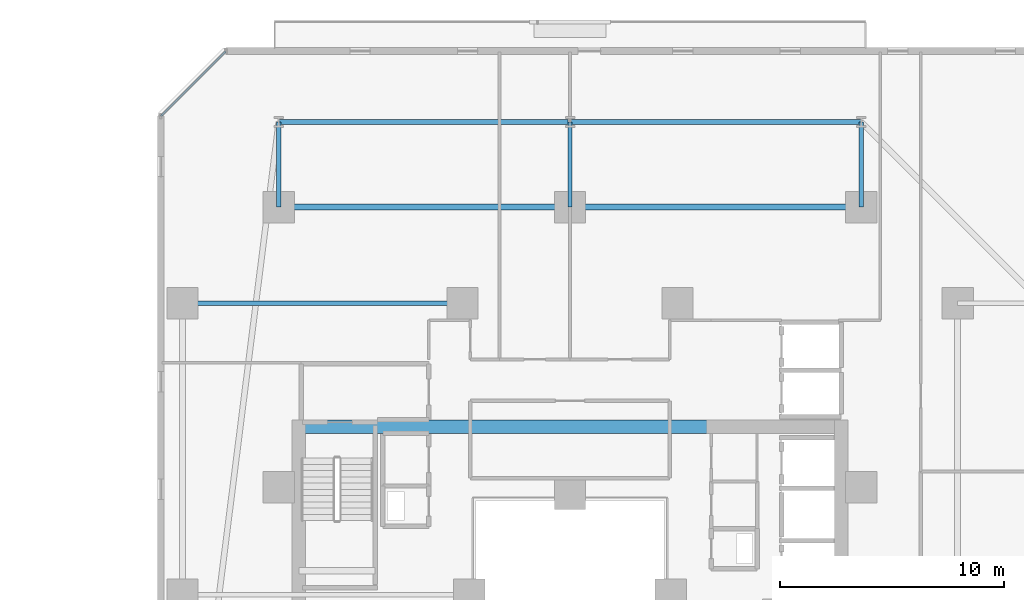
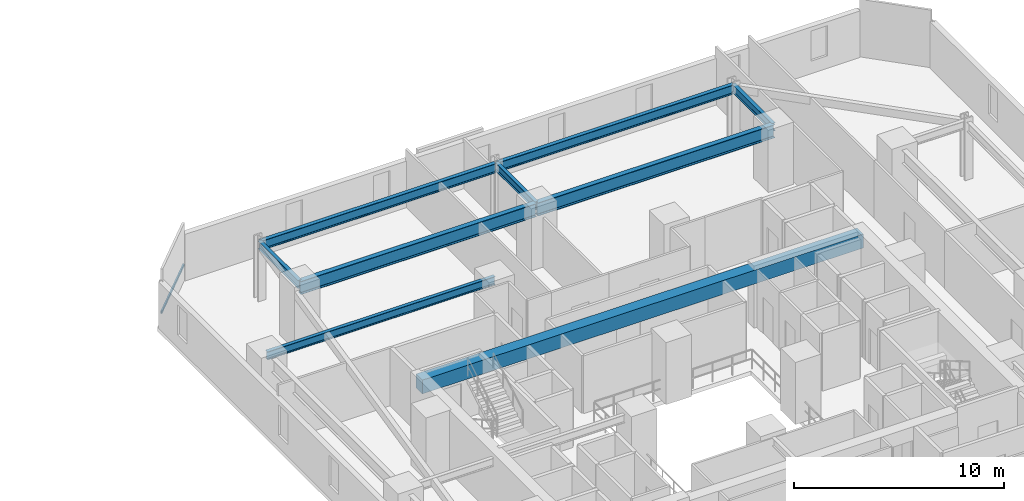
# One storey, part 16 of 35: 9 beams, 1 member, 1 element without a shape of its own.
"""IFC4 building model written with IfcOpenShell, lengths in metres."""

from ifc_helpers import new_model, si_unit, direction, frame, origin, origin_2d, place, context, subcontext, project, spatial, rectangle, hollow_rectangle, i_section, extrude, material, material_profile, profile_set, type_object, element, aggregate, save


model = new_model("IFC4")

# Units and contexts
model_context = context("Model", 3, precision=1e-05, world=origin(), true_north=direction((0.0, 1.0)))
body_context = subcontext(model_context, "Body", "Model", "MODEL_VIEW")
ifc_project = project(units=[si_unit("LENGTHUNIT", "METRE"), si_unit("AREAUNIT", "SQUARE_METRE"), si_unit("VOLUMEUNIT", "CUBIC_METRE"), si_unit("PLANEANGLEUNIT", "RADIAN"), si_unit("MASSUNIT", "GRAM", prefix="KILO")], contexts=[model_context])

# Site, building, storey
site_placement = place(None, origin())
site = spatial("IfcSite", under=ifc_project, at=site_placement, CompositionType="ELEMENT")
building_placement = place(site_placement, origin())
building = spatial("IfcBuilding", under=site, at=building_placement, Name="Thornwick Lancets Civic Towers", CompositionType="ELEMENT")
storey_placement = place(building_placement, frame((0.0, 0.0, 64.5)))
storey = spatial("IfcBuildingStorey", under=building, at=storey_placement, Name="L16", CompositionType="ELEMENT", Elevation=64.5)

# Beams
ifc_material_1 = material(Name="Concrete C60/75", Category="concrete")
ifc_material_profile_1 = material_profile(ifc_material_1, rectangle(XDim=0.60009765625, YDim=0.800048828125, at=origin_2d()), Name="RC 600x800")
ifc_profile_set_1 = profile_set([ifc_material_profile_1], Name="Concrete C60/75")
beam_type_1 = type_object("IfcBeamType", Name="BM_COUP_RC800", PredefinedType="BEAM", material=ifc_profile_set_1)
beam_1_placement = place(storey_placement, frame((76.39990234375, 34.5, 2.9599609375), z_axis=(1.0, 0.0, 0.0), x_axis=(0.0, 1.0, 0.0)))
element("IfcBeam", 1, at=beam_1_placement, inside=storey, type_object=beam_type_1, Name="CB-L16-B1", PredefinedType="BEAM", context=body_context, shape_type="SweptSolid", body=[
    extrude(rectangle(XDim=0.60009765625, YDim=0.800048828125, at=origin_2d()), origin(), (0.0, 0.0, 1.0), 24.2001953125),
])
ifc_material_2 = material(Name="Steel S355JR", Category="steel")
ifc_material_profile_2 = material_profile(ifc_material_2, i_section(OverallWidth=0.2119140625, OverallDepth=0.54443359375, WebThickness=0.0126953125, FlangeThickness=0.021240234375, FilletRadius=0.0126953125, at=origin_2d()), Name="UKB 533x210x122")
ifc_profile_set_2 = profile_set([ifc_material_profile_2], Name="Steel S355JR")
beam_type_2 = type_object("IfcBeamType", Name="BM_EDGE_533_122", PredefinedType="SPANDREL", material=ifc_profile_set_2)
beam_2_placement = place(storey_placement, frame((101.5, 48.10009765625, 3.087646484375), z_axis=(-1.0, 0.0, 0.0), x_axis=(0.0, -1.0, 0.0)))
element("IfcBeam", 2, at=beam_2_placement, inside=storey, type_object=beam_type_2, Name="BM-EDGE-L16-B-S1-1", PredefinedType="SPANDREL", context=body_context, shape_type="SweptSolid", body=[
    extrude(i_section(OverallWidth=0.2119140625, OverallDepth=0.54443359375, WebThickness=0.0126953125, FlangeThickness=0.021240234375, FilletRadius=0.0126953125, at=origin_2d()), origin(), (0.0, 0.0, 1.0), 13.0),
])
beam_3_placement = place(storey_placement, frame((88.419921875, 48.10009765625, 3.087646484375), z_axis=(-1.0, 0.0, 0.0), x_axis=(0.0, -1.0, 0.0)))
element("IfcBeam", 3, at=beam_3_placement, inside=storey, type_object=beam_type_2, Name="BM-EDGE-L16-B-S1-2", PredefinedType="SPANDREL", context=body_context, shape_type="SweptSolid", body=[
    extrude(i_section(OverallWidth=0.2119140625, OverallDepth=0.54443359375, WebThickness=0.0126953125, FlangeThickness=0.021240234375, FilletRadius=0.0126953125, at=origin_2d()), origin(), (0.0, 0.0, 1.0), 12.919921875),
])
ifc_material_profile_3 = material_profile(ifc_material_2, i_section(OverallWidth=0.26806640625, OverallDepth=0.769775390625, WebThickness=0.015625, FlangeThickness=0.025390625, FilletRadius=0.0166015625, at=origin_2d()), Name="UKB 762x267x197")
ifc_profile_set_3 = profile_set([ifc_material_profile_3], Name="Steel S355JR")
beam_type_3 = type_object("IfcBeamType", Name="BM_GIRD_762_197", PredefinedType="BEAM", material=ifc_profile_set_3)
beam_4_placement = place(storey_placement, frame((101.5, 44.300048828125, 2.97509765625), z_axis=(-1.0, 0.0, 0.0), x_axis=(0.0, -1.0, 0.0)))
element("IfcBeam", 4, at=beam_4_placement, inside=storey, type_object=beam_type_3, Name="BM-SPINE-L16-B-3-4", PredefinedType="BEAM", context=body_context, shape_type="SweptSolid", body=[
    extrude(i_section(OverallWidth=0.26806640625, OverallDepth=0.769775390625, WebThickness=0.015625, FlangeThickness=0.025390625, FilletRadius=0.0166015625, at=origin_2d()), origin(), (0.0, 0.0, 1.0), 13.0),
])
beam_5_placement = place(storey_placement, frame((88.419921875, 44.300048828125, 2.97509765625), z_axis=(-1.0, 0.0, 0.0), x_axis=(0.0, -1.0, 0.0)))
element("IfcBeam", 5, at=beam_5_placement, inside=storey, type_object=beam_type_3, Name="BM-SPINE-L16-B-4-5", PredefinedType="BEAM", context=body_context, shape_type="SweptSolid", body=[
    extrude(i_section(OverallWidth=0.26806640625, OverallDepth=0.769775390625, WebThickness=0.015625, FlangeThickness=0.025390625, FilletRadius=0.0166015625, at=origin_2d()), origin(), (0.0, 0.0, 1.0), 12.919921875),
])
ifc_material_profile_4 = material_profile(ifc_material_2, i_section(OverallWidth=0.19287109375, OverallDepth=0.46728515625, WebThickness=0.011474609375, FlangeThickness=0.01953125, FilletRadius=0.01025390625, at=origin_2d()), Name="UKB 457x191x98")
ifc_profile_set_4 = profile_set([ifc_material_profile_4], Name="Steel S355JR")
beam_type_4 = type_object("IfcBeamType", Name="BM_JOIST_457_98", PredefinedType="JOIST", material=ifc_profile_set_4)
for number, where, z_axis, x_axis, name in (
    (6, (101.5, 44.300048828125, 3.12646484375), (0.0, 1.0, 0.0), (-1.0, 0.0, 0.0), "BM-RAD-L16-B04"),
    (7, (88.5, 44.300048828125, 3.12646484375), (0.0, 1.0, 0.0), (-1.0, 0.0, 0.0), "BM-RAD-L16-B05"),
    (8, (75.5, 44.300048828125, 3.12646484375), (0.0, 1.0, 0.0), (-1.0, 0.0, 0.0), "BM-RAD-L16-B06"),
):
    element("IfcBeam", number, at=place(storey_placement, frame(where, z_axis=z_axis, x_axis=x_axis)), inside=storey, type_object=beam_type_4, Name=name, PredefinedType="JOIST", context=body_context, shape_type="SweptSolid", body=[
        extrude(i_section(OverallWidth=0.19287109375, OverallDepth=0.46728515625, WebThickness=0.011474609375, FlangeThickness=0.01953125, FilletRadius=0.01025390625, at=origin_2d()), origin(), (0.0, 0.0, 1.0), 3.800048828125),
    ])
beam_6_placement = place(storey_placement, frame((83.699951171875, 40.0, 3.12646484375), z_axis=(-1.0, 0.0, 0.0), x_axis=(0.0, -1.0, 0.0)))
element("IfcBeam", 9, at=beam_6_placement, inside=storey, type_object=beam_type_4, Name="BM-RADIN-L16-B09", PredefinedType="JOIST", context=body_context, shape_type="SweptSolid", body=[
    extrude(i_section(OverallWidth=0.19287109375, OverallDepth=0.46728515625, WebThickness=0.011474609375, FlangeThickness=0.01953125, FilletRadius=0.01025390625, at=origin_2d()), origin(), (0.0, 0.0, 1.0), 12.5),
])

# Curtain wall, member
ifc_material_3 = material(Name="Low-zone chamfered-corner unitised glass curtain wall", Category="glass")
curtain_wall_type = type_object("IfcCurtainWallType", Name="CW_SYS_03", PredefinedType="NOTDEFINED", material=ifc_material_3)
curtain_wall_placement = place(storey_placement, origin())
curtain_wall = element("IfcCurtainWall", 10, at=curtain_wall_placement, inside=storey, type_object=curtain_wall_type, Name="L16 Curtain Wall CW-L16-B-E5", PredefinedType="NOTDEFINED")
ifc_material_4 = material(Name="Thermally broken bronze aluminium S355", Category="steel")
ifc_material_profile_5 = material_profile(ifc_material_4, hollow_rectangle(XDim=0.074951171875, YDim=0.14990234375, WallThickness=0.0048828125, at=origin_2d()), Name="RHS 150x75x5")
ifc_profile_set_5 = profile_set([ifc_material_profile_5], Name="Thermally broken bronze aluminium S355")
member_type = type_object("IfcMemberType", Name="CW_TRN_150", PredefinedType="USERDEFINED", material=ifc_profile_set_5)
member_placement = place(storey_placement, frame((73.130615234375, 51.24951171875, 0.85009765625), z_axis=(-0.707106781187, -0.707106781187, 0.0), x_axis=(0.707106781187, -0.707106781187, 0.0)))
member = element("IfcMember", 11, at=member_placement, type_object=member_type, Name="CW-L16-B-E5 Transom 0", ObjectType="TRANSOM", PredefinedType="USERDEFINED", context=body_context, shape_type="SweptSolid", body=[
    extrude(hollow_rectangle(XDim=0.074951171875, YDim=0.14990234375, WallThickness=0.0048828125, at=origin_2d()), origin(), (0.0, 0.0, 1.0), 4.072998046875),
])
aggregate(curtain_wall, [member])

save(model, "model.ifc")
